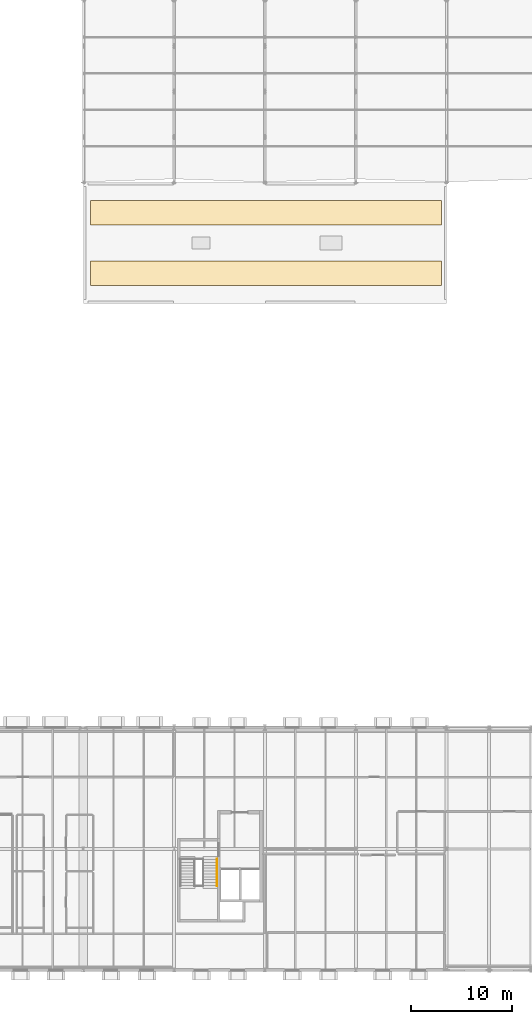
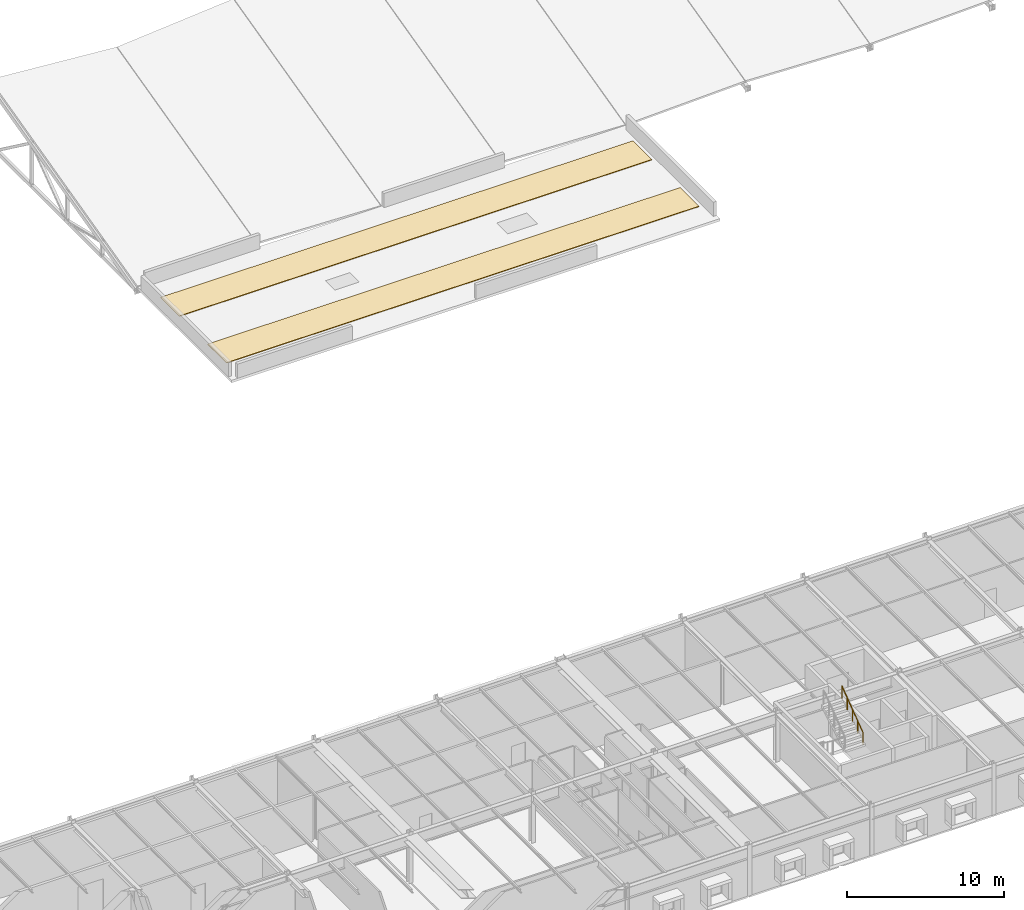
# One storey, part 36 of 36: 2 coverings, 1 railing.
"""IFC4 building model written with IfcOpenShell, lengths in metres."""

from ifc_helpers import new_model, si_unit, direction, frame, origin, origin_2d, place, context, subcontext, project, spatial, polyline, circle, outline, extrude, material, layer, layer_set, type_object, element, save


model = new_model("IFC4")

# Units and contexts
model_context = context("Model", 3, precision=1e-05, world=origin(), true_north=direction((0.0, 1.0)))
body_context = subcontext(model_context, "Body", "Model", "MODEL_VIEW")
ifc_project = project(units=[si_unit("LENGTHUNIT", "METRE"), si_unit("AREAUNIT", "SQUARE_METRE"), si_unit("VOLUMEUNIT", "CUBIC_METRE"), si_unit("PLANEANGLEUNIT", "RADIAN"), si_unit("MASSUNIT", "GRAM", prefix="KILO")], contexts=[model_context])

# Site, building, storey
site_placement = place(None, origin())
site = spatial("IfcSite", under=ifc_project, at=site_placement, CompositionType="ELEMENT")
building_placement = place(site_placement, origin())
building = spatial("IfcBuilding", under=site, at=building_placement, Name="Montelvaro Courts of Justice", CompositionType="ELEMENT")
storey_placement = place(building_placement, frame((0.0, 0.0, 23.39990234375)))
storey = spatial("IfcBuildingStorey", under=building, at=storey_placement, Name="L05", CompositionType="ELEMENT", Elevation=23.39990234375)

# Railing
ifc_material_1 = material(Name="Austenitic stainless steel EN 1.4401", Category="steel")
railing_type = type_object("IfcRailingType", Name="StairHandrail_950", PredefinedType="HANDRAIL", material=ifc_material_1)
railing_placement = place(storey_placement, frame((112.239990234375, 8.304931640625, 2.0)))
element("IfcRailing", 1, at=railing_placement, inside=storey, type_object=railing_type, Name="Stair Pitch Handrail HR-01 ST-K2-L05-F2H", PredefinedType="HANDRAIL", context=body_context, shape_type="SweptSolid", body=[
    extrude(circle(Radius=0.02392578125, at=origin_2d()), frame((0.0, 0.0, 0.92578125), z_axis=(0.0, 0.803036263579, 0.595930163171), x_axis=(-1.0, 0.0, 0.0)), (0.0, 0.0, 1.0), 3.356201171875),
    extrude(circle(Radius=0.02099609375, at=origin_2d()), origin(), (0.0, 0.0, 1.0), 0.90185546875),
    extrude(circle(Radius=0.02099609375, at=origin_2d()), frame((0.0, 0.673828125, 0.5)), (0.0, 0.0, 1.0), 0.90185546875),
    extrude(circle(Radius=0.02099609375, at=origin_2d()), frame((0.0, 1.34765625, 1.0)), (0.0, 0.0, 1.0), 0.90185546875),
    extrude(circle(Radius=0.02099609375, at=origin_2d()), frame((0.0, 2.021240234375, 1.5)), (0.0, 0.0, 1.0), 0.90185546875),
    extrude(circle(Radius=0.02099609375, at=origin_2d()), frame((0.0, 2.695068359375, 2.0)), (0.0, 0.0, 1.0), 0.90185546875),
])

# Coverings
ifc_material_2 = material(Name="Standing seam zinc roofing", Category="steel")
ifc_layer = layer(ifc_material_2, 0.050048828125)
ifc_layer_set = layer_set([ifc_layer], Name="Standing seam zinc roofing")
covering_type = type_object("IfcCoveringType", Name="StandingSeamRoofing", PredefinedType="ROOFING", material=ifc_layer_set)
covering_1_placement = place(storey_placement, origin())
element("IfcCovering", 2, at=covering_1_placement, inside=storey, type_object=covering_type, Name="Roof Standing Seam Covering RCV-01 SLB-L05-V2ROOF-1", PredefinedType="ROOFING", context=body_context, shape_type="SweptSolid", body=[
    extrude(outline(polyline([(99.699951171875, 67.800048828125), (134.5, 67.800048828125), (134.5, 70.199951171875), (99.699951171875, 70.199951171875), (99.699951171875, 67.800048828125)])), origin(), (0.0, 0.0, 1.0), 0.050048828125),
])
covering_2_placement = place(storey_placement, origin())
element("IfcCovering", 3, at=covering_2_placement, inside=storey, type_object=covering_type, Name="Roof Standing Seam Covering RCV-01 SLB-L05-V2ROOF-2", PredefinedType="ROOFING", context=body_context, shape_type="SweptSolid", body=[
    extrude(outline(polyline([(99.699951171875, 73.800048828125), (134.5, 73.800048828125), (134.5, 76.199951171875), (99.699951171875, 76.199951171875), (99.699951171875, 73.800048828125)])), origin(), (0.0, 0.0, 1.0), 0.050048828125),
])

save(model, "model.ifc")
